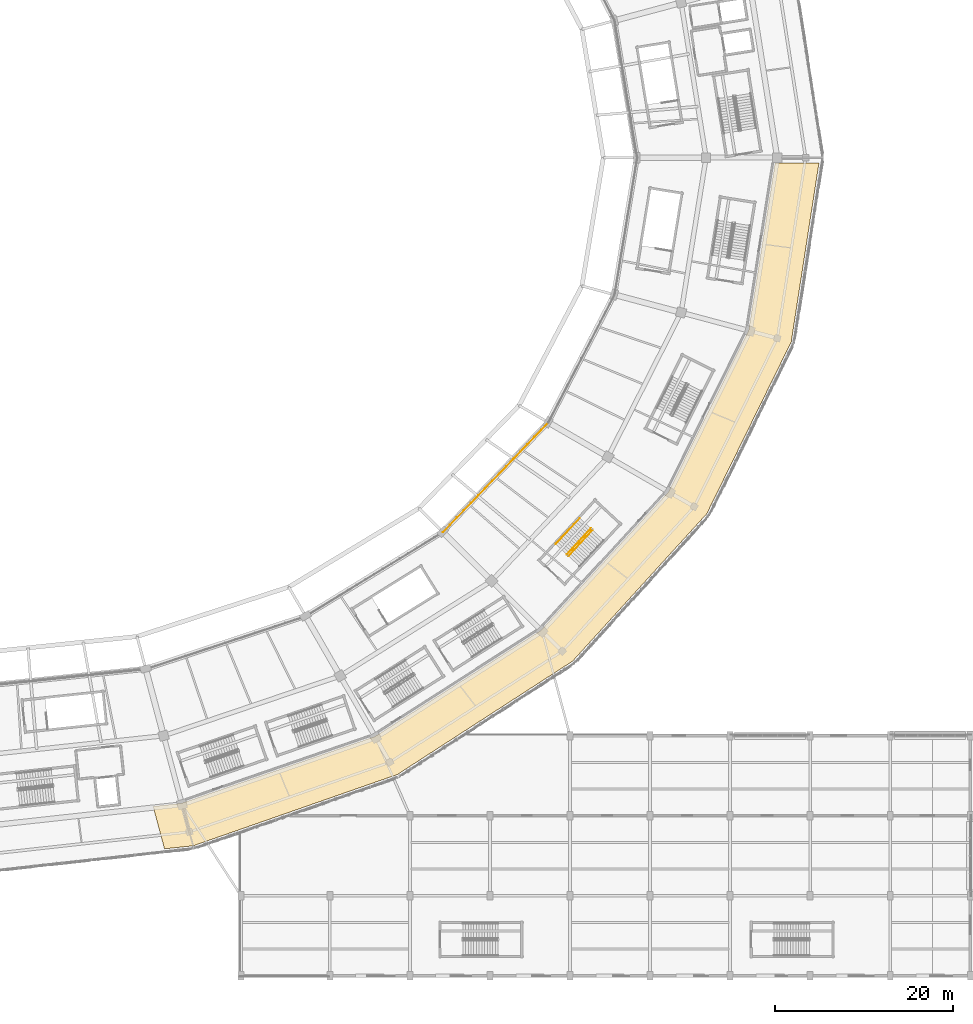
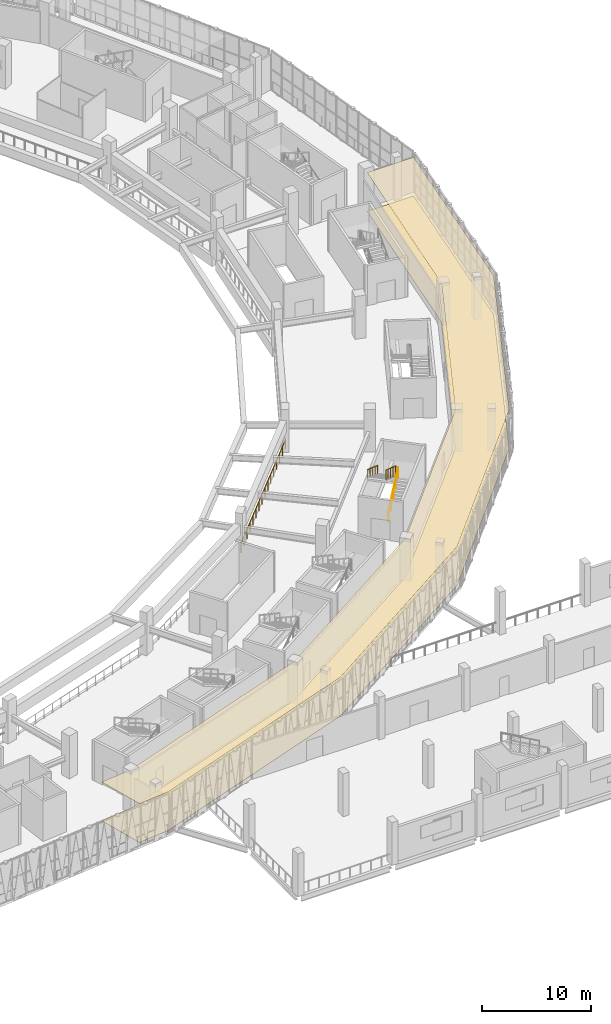
# One storey, part 148 of 179: 4 railings, 2 coverings.
"""IFC4 building model written with IfcOpenShell, lengths in metres."""

from ifc_helpers import new_model, si_unit, direction, frame, origin, origin_2d, place, context, subcontext, project, spatial, polyline, circle, outline, extrude, material, layer, layer_set, type_object, element, save


model = new_model("IFC4")

# Units and contexts
model_context = context("Model", 3, precision=1e-05, world=origin(), true_north=direction((0.0, 1.0)))
body_context = subcontext(model_context, "Body", "Model", "MODEL_VIEW")
ifc_project = project(units=[si_unit("LENGTHUNIT", "METRE"), si_unit("AREAUNIT", "SQUARE_METRE"), si_unit("VOLUMEUNIT", "CUBIC_METRE"), si_unit("PLANEANGLEUNIT", "RADIAN"), si_unit("MASSUNIT", "GRAM", prefix="KILO")], contexts=[model_context])

# Site, building, storey
site_placement = place(None, origin())
site = spatial("IfcSite", under=ifc_project, at=site_placement, CompositionType="ELEMENT")
building_placement = place(site_placement, origin())
building = spatial("IfcBuilding", under=site, at=building_placement, Name="Zevraka Park Crest Stadium", CompositionType="ELEMENT")
storey_placement = place(building_placement, frame((0.0, 0.0, 10.199951171875)))
storey = spatial("IfcBuildingStorey", under=building, at=storey_placement, Name="L02", CompositionType="ELEMENT", Elevation=10.199951171875)

# Coverings
ifc_material_1 = material(Name="Perforated acoustic mineral-fibre suspended ceiling", Category="other")
ifc_layer_1 = layer(ifc_material_1, 0.02490234375)
ifc_layer_set_1 = layer_set([ifc_layer_1], Name="Perforated acoustic mineral-fibre suspended ceiling")
covering_type_1 = type_object("IfcCoveringType", Name="CLG01", PredefinedType="CEILING", material=ifc_layer_set_1)
covering_1_placement = place(storey_placement, frame((0.0, 0.0, 4.360107421875)))
element("IfcCovering", 1, at=covering_1_placement, inside=storey, type_object=covering_type_1, Name="Acoustic Ceiling Stadium Administration Office L02-040", PredefinedType="CEILING", context=body_context, shape_type="SweptSolid", body=[
    extrude(outline(polyline([(190.054931640625, 54.385009765625), (190.06689453125, 54.39892578125), (190.077880859375, 54.4150390625), (190.0869140625, 54.430908203125), (199.073974609375, 72.510009765625), (199.08203125, 72.529052734375), (199.087890625, 72.548095703125), (199.093017578125, 72.568115234375), (202.06689453125, 91.385009765625), (206.991943359375, 91.3798828125), (203.8779296875, 71.279052734375), (194.389892578125, 51.970947265625), (179.284912109375, 35.3740234375), (159.5810546875, 22.62890625), (136.636962890625, 14.616943359375), (133.402099609375, 14.27587890625), (132.125, 19.0419921875), (135.305908203125, 19.39501953125), (135.327880859375, 19.39892578125), (135.34912109375, 19.405029296875), (157.0458984375, 26.89501953125), (157.068115234375, 26.904052734375), (157.089111328125, 26.9150390625), (175.718994140625, 38.825927734375), (175.73291015625, 38.8359375), (175.74609375, 38.846923828125), (175.758056640625, 38.860107421875), (190.054931640625, 54.385009765625)])), origin(), (0.0, 0.0, 1.0), 0.02490234375),
])
ifc_material_2 = material(Name="Honed terrazzo and slip-resistant sports flooring", Category="other")
ifc_layer_2 = layer(ifc_material_2, 0.0400390625)
ifc_layer_set_2 = layer_set([ifc_layer_2], Name="Honed terrazzo and slip-resistant sports flooring")
covering_type_2 = type_object("IfcCoveringType", Name="FLR01", PredefinedType="FLOORING", material=ifc_layer_set_2)
covering_2_placement = place(storey_placement, origin())
element("IfcCovering", 2, at=covering_2_placement, inside=storey, type_object=covering_type_2, Name="Terrazzo Floor Finish Stadium Administration Office L02-040", PredefinedType="FLOORING", context=body_context, shape_type="SweptSolid", body=[
    extrude(outline(polyline([(190.054931640625, 54.385009765625), (190.06689453125, 54.39892578125), (190.077880859375, 54.4150390625), (190.0869140625, 54.430908203125), (199.073974609375, 72.510009765625), (199.08203125, 72.529052734375), (199.087890625, 72.548095703125), (199.093017578125, 72.568115234375), (202.06689453125, 91.385009765625), (206.991943359375, 91.3798828125), (203.8779296875, 71.279052734375), (194.389892578125, 51.970947265625), (179.284912109375, 35.3740234375), (159.5810546875, 22.62890625), (136.636962890625, 14.616943359375), (133.402099609375, 14.27587890625), (132.125, 19.0419921875), (135.305908203125, 19.39501953125), (135.327880859375, 19.39892578125), (135.34912109375, 19.405029296875), (157.0458984375, 26.89501953125), (157.068115234375, 26.904052734375), (157.089111328125, 26.9150390625), (175.718994140625, 38.825927734375), (175.73291015625, 38.8359375), (175.74609375, 38.846923828125), (175.758056640625, 38.860107421875), (190.054931640625, 54.385009765625)])), origin(), (0.0, 0.0, 1.0), 0.0400390625),
])

# Railings
ifc_material_3 = material(Name="Galvanised and bronze-finished steel balustrade", Category="steel")
railing_type_1 = type_object("IfcRailingType", Name="GR01", PredefinedType="GUARDRAIL", material=ifc_material_3)
railing_1_placement = place(storey_placement, frame((164.720947265625, 49.87109375, 0.0)))
element("IfcRailing", 3, at=railing_1_placement, inside=storey, type_object=railing_type_1, Name="Deck Edge Protection Guardrail GR01 L02-60", PredefinedType="GUARDRAIL", context=body_context, shape_type="SweptSolid", body=[
    extrude(circle(Radius=0.02392578125, at=origin_2d()), frame((0.0, 0.0, 1.076171875), z_axis=(0.692658510464, 0.721265684669, 0.0), x_axis=(-0.721265684669, 0.692658510464, 0.0)), (0.0, 0.0, 1.0), 17.128173828125),
    extrude(circle(Radius=0.02099609375, at=origin_2d()), origin(), (0.0, 0.0, 1.0), 1.052001953125),
    extrude(circle(Radius=0.02099609375, at=origin_2d()), frame((0.791015625, 0.823486328125, 0.0)), (0.0, 0.0, 1.0), 1.052001953125),
    extrude(circle(Radius=0.02099609375, at=origin_2d()), frame((1.581787109375, 1.647216796875, 0.0)), (0.0, 0.0, 1.0), 1.052001953125),
    extrude(circle(Radius=0.02099609375, at=origin_2d()), frame((2.372802734375, 2.470703125, 0.0)), (0.0, 0.0, 1.0), 1.052001953125),
    extrude(circle(Radius=0.02099609375, at=origin_2d()), frame((3.163818359375, 3.29443359375, 0.0)), (0.0, 0.0, 1.0), 1.052001953125),
    extrude(circle(Radius=0.02099609375, at=origin_2d()), frame((3.95458984375, 4.117919921875, 0.0)), (0.0, 0.0, 1.0), 1.052001953125),
    extrude(circle(Radius=0.02099609375, at=origin_2d()), frame((4.74560546875, 4.941650390625, 0.0)), (0.0, 0.0, 1.0), 1.052001953125),
    extrude(circle(Radius=0.02099609375, at=origin_2d()), frame((5.53662109375, 5.76513671875, 0.0)), (0.0, 0.0, 1.0), 1.052001953125),
    extrude(circle(Radius=0.02099609375, at=origin_2d()), frame((6.327392578125, 6.5888671875, 0.0)), (0.0, 0.0, 1.0), 1.052001953125),
    extrude(circle(Radius=0.02099609375, at=origin_2d()), frame((7.118408203125, 7.412353515625, 0.0)), (0.0, 0.0, 1.0), 1.052001953125),
    extrude(circle(Radius=0.02099609375, at=origin_2d()), frame((7.909423828125, 8.236083984375, 0.0)), (0.0, 0.0, 1.0), 1.052001953125),
    extrude(circle(Radius=0.02099609375, at=origin_2d()), frame((8.7001953125, 9.0595703125, 0.0)), (0.0, 0.0, 1.0), 1.052001953125),
    extrude(circle(Radius=0.02099609375, at=origin_2d()), frame((9.4912109375, 9.88330078125, 0.0)), (0.0, 0.0, 1.0), 1.052001953125),
    extrude(circle(Radius=0.02099609375, at=origin_2d()), frame((10.2822265625, 10.706787109375, 0.0)), (0.0, 0.0, 1.0), 1.052001953125),
    extrude(circle(Radius=0.02099609375, at=origin_2d()), frame((11.072998046875, 11.530517578125, 0.0)), (0.0, 0.0, 1.0), 1.052001953125),
    extrude(circle(Radius=0.02099609375, at=origin_2d()), frame((11.864013671875, 12.35400390625, 0.0)), (0.0, 0.0, 1.0), 1.052001953125),
])
ifc_material_4 = material(Name="Powder-coated tubular steel stairwell guard", Category="steel")
railing_type_2 = type_object("IfcRailingType", Name="GR03", PredefinedType="GUARDRAIL", material=ifc_material_4)
railing_2_placement = place(storey_placement, frame((178.8349609375, 47.212890625, 0.17138671875)))
element("IfcRailing", 4, at=railing_2_placement, inside=storey, type_object=railing_type_2, Name="L02 ST22 stair guard 1", PredefinedType="GUARDRAIL", context=body_context, shape_type="SweptSolid", body=[
    extrude(circle(Radius=0.02392578125, at=origin_2d()), frame((0.0, 0.0, 1.076171875), z_axis=(0.593000427987, 0.638946152675, 0.489998271822), x_axis=(-0.732968909084, 0.680262139412, 0.0)), (0.0, 0.0, 1.0), 4.548583984375),
    extrude(circle(Radius=0.02099609375, at=origin_2d()), origin(), (0.0, 0.0, 1.0), 1.052001953125),
    extrude(circle(Radius=0.02099609375, at=origin_2d()), frame((0.67431640625, 0.7265625, 0.55712890625)), (0.0, 0.0, 1.0), 1.052001953125),
    extrude(circle(Radius=0.02099609375, at=origin_2d()), frame((1.3486328125, 1.453125, 1.1142578125)), (0.0, 0.0, 1.0), 1.052001953125),
    extrude(circle(Radius=0.02099609375, at=origin_2d()), frame((2.02294921875, 2.1796875, 1.671630859375)), (0.0, 0.0, 1.0), 1.052001953125),
    extrude(circle(Radius=0.02099609375, at=origin_2d()), frame((2.697265625, 2.90625, 2.228759765625)), (0.0, 0.0, 1.0), 1.052001953125),
])
railing_3_placement = place(storey_placement, frame((181.341552734375, 50.2958984375, 2.571533203125)))
element("IfcRailing", 5, at=railing_3_placement, inside=storey, type_object=railing_type_2, Name="L02 ST22 stair guard 3", PredefinedType="GUARDRAIL", context=body_context, shape_type="SweptSolid", body=[
    extrude(circle(Radius=0.02392578125, at=origin_2d()), frame((0.0, 0.0, 1.076171875), z_axis=(-0.593016024023, -0.638962957094, 0.489957482557), x_axis=(0.732968909084, -0.680262139412, 0.0)), (0.0, 0.0, 1.0), 4.54833984375),
    extrude(circle(Radius=0.02099609375, at=origin_2d()), origin(), (0.0, 0.0, 1.0), 1.052001953125),
    extrude(circle(Radius=0.02099609375, at=origin_2d()), frame((-0.67431640625, -0.7265625, 0.55712890625)), (0.0, 0.0, 1.0), 1.052001953125),
    extrude(circle(Radius=0.02099609375, at=origin_2d()), frame((-1.3486328125, -1.453125, 1.1142578125)), (0.0, 0.0, 1.0), 1.052001953125),
    extrude(circle(Radius=0.02099609375, at=origin_2d()), frame((-2.02294921875, -2.1796875, 1.67138671875)), (0.0, 0.0, 1.0), 1.052001953125),
    extrude(circle(Radius=0.02099609375, at=origin_2d()), frame((-2.697265625, -2.90625, 2.228515625)), (0.0, 0.0, 1.0), 1.052001953125),
])
ifc_material_5 = material(Name="Brushed stainless steel continuous handrail", Category="steel")
railing_type_3 = type_object("IfcRailingType", Name="HR01", PredefinedType="HANDRAIL", material=ifc_material_5)
railing_4_placement = place(storey_placement, frame((180.095458984375, 51.452392578125, 2.571533203125)))
element("IfcRailing", 6, at=railing_4_placement, inside=storey, type_object=railing_type_3, Name="L02 ST22 stair handrail 2", PredefinedType="HANDRAIL", context=body_context, shape_type="SweptSolid", body=[
    extrude(circle(Radius=0.02392578125, at=origin_2d()), frame((0.0, 0.0, 0.8759765625), z_axis=(-0.593016024023, -0.638962957094, 0.489957482557), x_axis=(0.732968909084, -0.680262139412, 0.0)), (0.0, 0.0, 1.0), 4.54833984375),
    extrude(circle(Radius=0.02099609375, at=origin_2d()), origin(), (0.0, 0.0, 1.0), 0.851806640625),
    extrude(circle(Radius=0.02099609375, at=origin_2d()), frame((-0.67431640625, -0.7265625, 0.55712890625)), (0.0, 0.0, 1.0), 0.851806640625),
    extrude(circle(Radius=0.02099609375, at=origin_2d()), frame((-1.3486328125, -1.453125, 1.1142578125)), (0.0, 0.0, 1.0), 0.851806640625),
    extrude(circle(Radius=0.02099609375, at=origin_2d()), frame((-2.02294921875, -2.1796875, 1.67138671875)), (0.0, 0.0, 1.0), 0.851806640625),
    extrude(circle(Radius=0.02099609375, at=origin_2d()), frame((-2.697265625, -2.90625, 2.228515625)), (0.0, 0.0, 1.0), 0.851806640625),
])

save(model, "model.ifc")
